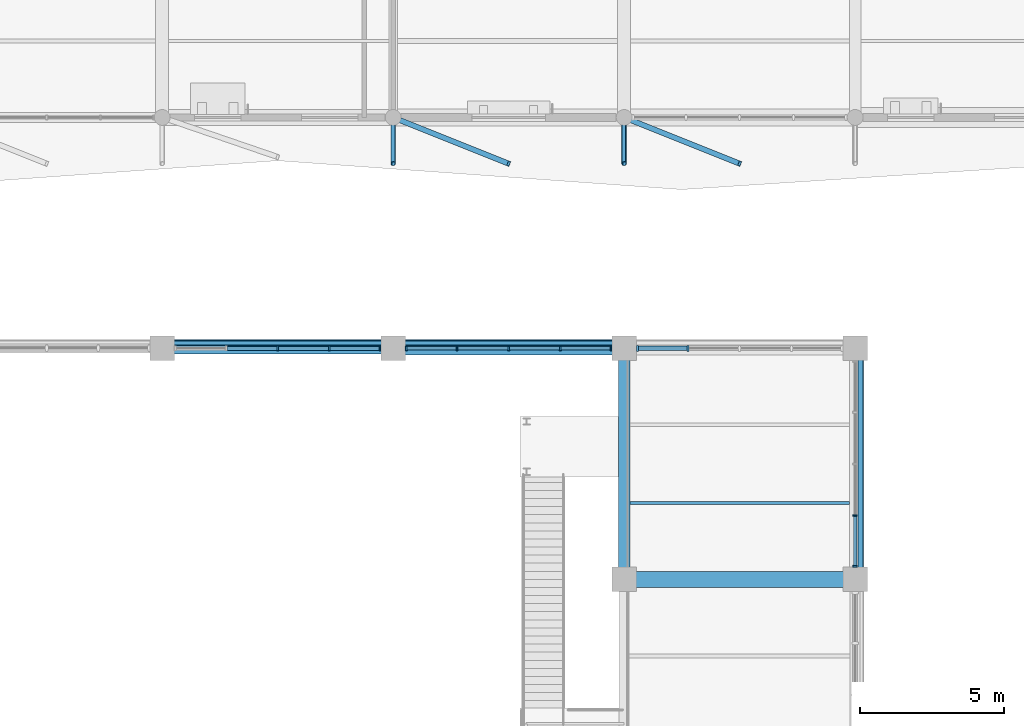
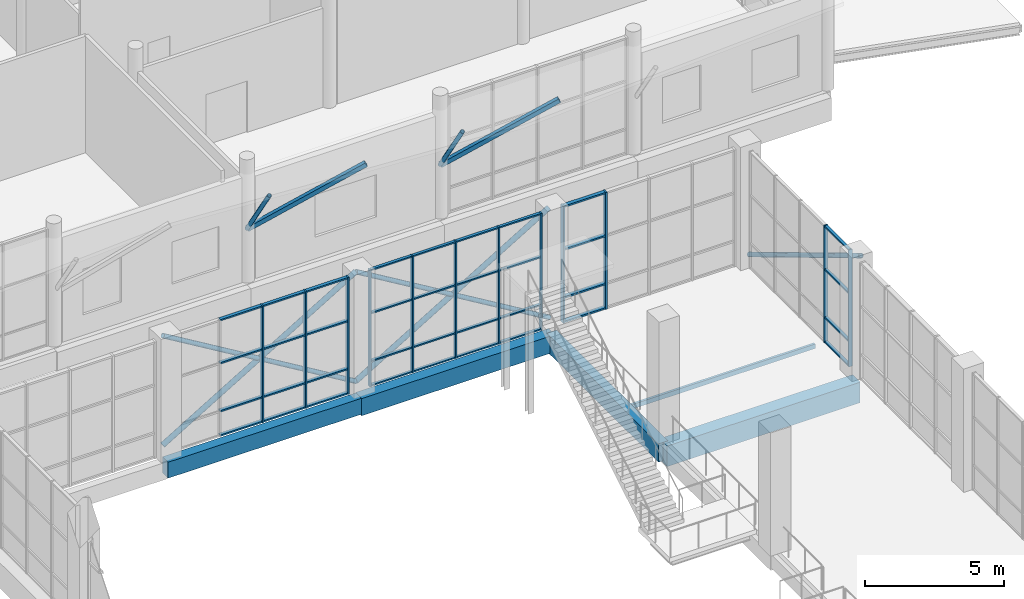
# One storey, part 58 of 122: 57 members, 5 beams, 4 elements without a shape of their own.
"""IFC4 building model written with IfcOpenShell, lengths in metres."""

from ifc_helpers import new_model, si_unit, direction, frame, origin, origin_2d, place, context, subcontext, project, spatial, rectangle, hollow_rectangle, hollow_circle, extrude, material, material_profile, profile_set, type_object, element, aggregate, save


model = new_model("IFC4")

# Units and contexts
model_context = context("Model", 3, precision=1e-05, world=origin(), true_north=direction((0.0, 1.0)))
body_context = subcontext(model_context, "Body", "Model", "MODEL_VIEW")
ifc_project = project(units=[si_unit("LENGTHUNIT", "METRE"), si_unit("AREAUNIT", "SQUARE_METRE"), si_unit("VOLUMEUNIT", "CUBIC_METRE"), si_unit("PLANEANGLEUNIT", "RADIAN"), si_unit("MASSUNIT", "GRAM", prefix="KILO")], contexts=[model_context])

# Site, building, storey
site_placement = place(None, origin())
site = spatial("IfcSite", under=ifc_project, at=site_placement, CompositionType="ELEMENT")
building_placement = place(site_placement, origin())
building = spatial("IfcBuilding", under=site, at=building_placement, Name="Tenunan Teduh Sports Hall", CompositionType="ELEMENT")
storey_placement = place(building_placement, frame((0.0, 0.0, 5.39990234375)))
storey = spatial("IfcBuildingStorey", under=building, at=storey_placement, Name="L01", CompositionType="ELEMENT", Elevation=5.39990234375)

# Beams
ifc_material_1 = material(Name="Concrete C40/50", Category="concrete")
ifc_material_profile_1 = material_profile(ifc_material_1, rectangle(XDim=0.39990234375, YDim=0.699951171875, at=origin_2d()), Name="RCB 400x700")
ifc_profile_set_1 = profile_set([ifc_material_profile_1], Name="Concrete C40/50")
beam_type_1 = type_object("IfcBeamType", Name="BM-RC-400x700", PredefinedType="BEAM", material=ifc_profile_set_1)
beam_1_placement = place(storey_placement, frame((130.0, 78.0, -0.60986328125), z_axis=(1.0, 0.0, 0.0), x_axis=(0.0, 1.0, 0.0)))
element("IfcBeam", 1, at=beam_1_placement, inside=storey, type_object=beam_type_1, Name="BM-B-08-L01-1102", PredefinedType="BEAM", context=body_context, shape_type="SweptSolid", body=[
    extrude(rectangle(XDim=0.39990234375, YDim=0.699951171875, at=origin_2d()), origin(), (0.0, 0.0, 1.0), 8.0),
])
ifc_material_2 = material(Name="Concrete C40/50", Category="concrete")
ifc_material_profile_2 = material_profile(ifc_material_2, rectangle(XDim=0.39990234375, YDim=0.800048828125, at=origin_2d()), Name="RCB 400x800")
ifc_profile_set_2 = profile_set([ifc_material_profile_2], Name="Concrete C40/50")
beam_type_2 = type_object("IfcBeamType", Name="BM-RC-400x800", PredefinedType="BEAM", material=ifc_profile_set_2)
beam_2_placement = place(storey_placement, frame((146.0, 70.0, -0.659912109375), z_axis=(0.0, 1.0, 0.0), x_axis=(-1.0, 0.0, 0.0)))
element("IfcBeam", 2, at=beam_2_placement, inside=storey, type_object=beam_type_2, Name="BM-B-10-L01-1288", PredefinedType="BEAM", context=body_context, shape_type="SweptSolid", body=[
    extrude(rectangle(XDim=0.39990234375, YDim=0.800048828125, at=origin_2d()), origin(), (0.0, 0.0, 1.0), 8.0),
])
ifc_material_3 = material(Name="Concrete C40/50", Category="concrete")
ifc_material_profile_3 = material_profile(ifc_material_3, rectangle(XDim=0.449951171875, YDim=0.75, at=origin_2d()), Name="RCB 450x750")
ifc_profile_set_3 = profile_set([ifc_material_profile_3], Name="Concrete C40/50")
beam_type_3 = type_object("IfcBeamType", Name="BM-RC-450x750", PredefinedType="BEAM", material=ifc_profile_set_3)
beam_3_placement = place(storey_placement, frame((138.0, 78.0, -0.635009765625), z_axis=(1.0, 0.0, 0.0), x_axis=(0.0, 1.0, 0.0)))
element("IfcBeam", 3, at=beam_3_placement, inside=storey, type_object=beam_type_3, Name="BM-B-11-L01-1103", PredefinedType="BEAM", context=body_context, shape_type="SweptSolid", body=[
    extrude(rectangle(XDim=0.449951171875, YDim=0.75, at=origin_2d()), origin(), (0.0, 0.0, 1.0), 8.0),
])
ifc_material_4 = material(Name="Concrete C40/50", Category="concrete")
ifc_material_profile_4 = material_profile(ifc_material_4, rectangle(XDim=0.550048828125, YDim=0.89990234375, at=origin_2d()), Name="RCB 550x900")
ifc_profile_set_4 = profile_set([ifc_material_profile_4], Name="Concrete C40/50")
beam_type_4 = type_object("IfcBeamType", Name="BM-RC-550x900", PredefinedType="BEAM", material=ifc_profile_set_4)
beam_4_placement = place(storey_placement, frame((146.0, 70.0, -0.7099609375), z_axis=(1.0, 0.0, 0.0), x_axis=(0.0, 1.0, 0.0)))
element("IfcBeam", 4, at=beam_4_placement, inside=storey, type_object=beam_type_4, Name="BM-B-16-L01-1095", PredefinedType="BEAM", context=body_context, shape_type="SweptSolid", body=[
    extrude(rectangle(XDim=0.550048828125, YDim=0.89990234375, at=origin_2d()), origin(), (0.0, 0.0, 1.0), 8.0),
])

# Curtain wall, members
ifc_material_5 = material(Name="Anodised aluminium", Category="aluminium")
curtain_wall_type = type_object("IfcCurtainWallType", Name="CW-UNIT-1", PredefinedType="NOTDEFINED", material=ifc_material_5)
curtain_wall_1_placement = place(storey_placement, origin())
curtain_wall_1 = element("IfcCurtainWall", 5, at=curtain_wall_1_placement, inside=storey, type_object=curtain_wall_type, Name="CW-CWM-150-L01-119", PredefinedType="NOTDEFINED")
ifc_material_6 = material(Name="Anodised aluminium", Category="aluminium")
ifc_material_profile_5 = material_profile(ifc_material_6, rectangle(XDim=0.06005859375, YDim=0.14990234375, at=origin_2d()), Name="CWM 60x150")
ifc_profile_set_5 = profile_set([ifc_material_profile_5], Name="Anodised aluminium")
member_type_1 = type_object("IfcMemberType", Name="CWM-150", PredefinedType="MULLION", material=ifc_profile_set_5)
member_1_placement = place(storey_placement, frame((138.455078125, 78.0, 0.0), z_axis=(0.0, 0.0, 1.0), x_axis=(1.0, 0.0, 0.0)))
member_1 = element("IfcMember", 6, at=member_1_placement, type_object=member_type_1, Name="CW-01 mullion 1", PredefinedType="MULLION", context=body_context, shape_type="SweptSolid", body=[
    extrude(rectangle(XDim=0.06005859375, YDim=0.14990234375, at=origin_2d()), origin(), (0.0, 0.0, 1.0), 5.1201171875),
])
member_2_placement = place(storey_placement, frame((140.21240234375, 78.0, 0.0), z_axis=(0.0, 0.0, 1.0), x_axis=(1.0, 0.0, 0.0)))
member_2 = element("IfcMember", 7, at=member_2_placement, type_object=member_type_1, Name="CW-01 mullion 2", PredefinedType="MULLION", context=body_context, shape_type="SweptSolid", body=[
    extrude(rectangle(XDim=0.06005859375, YDim=0.14990234375, at=origin_2d()), origin(), (0.0, 0.0, 1.0), 5.1201171875),
])
member_3_placement = place(storey_placement, frame((142.0, 78.0, 0.0), z_axis=(0.0, 0.0, 1.0), x_axis=(1.0, 0.0, 0.0)))
member_3 = element("IfcMember", 8, at=member_3_placement, type_object=member_type_1, Name="CW-01 mullion 3", PredefinedType="MULLION", context=body_context, shape_type="SweptSolid", body=[
    extrude(rectangle(XDim=0.06005859375, YDim=0.14990234375, at=origin_2d()), origin(), (0.0, 0.0, 1.0), 5.1201171875),
])
member_4_placement = place(storey_placement, frame((143.78759765625, 78.0, 0.0), z_axis=(0.0, 0.0, 1.0), x_axis=(1.0, 0.0, 0.0)))
member_4 = element("IfcMember", 9, at=member_4_placement, type_object=member_type_1, Name="CW-01 mullion 4", PredefinedType="MULLION", context=body_context, shape_type="SweptSolid", body=[
    extrude(rectangle(XDim=0.06005859375, YDim=0.14990234375, at=origin_2d()), origin(), (0.0, 0.0, 1.0), 5.1201171875),
])
member_5_placement = place(storey_placement, frame((145.544921875, 78.0, 0.0), z_axis=(0.0, 0.0, 1.0), x_axis=(1.0, 0.0, 0.0)))
member_5 = element("IfcMember", 10, at=member_5_placement, type_object=member_type_1, Name="CW-01 mullion 5", PredefinedType="MULLION", context=body_context, shape_type="SweptSolid", body=[
    extrude(rectangle(XDim=0.06005859375, YDim=0.14990234375, at=origin_2d()), origin(), (0.0, 0.0, 1.0), 5.1201171875),
])

curtain_wall_2_placement = place(storey_placement, origin())
curtain_wall_2 = element("IfcCurtainWall", 11, at=curtain_wall_2_placement, inside=storey, type_object=curtain_wall_type, Name="CW-CWM-150-L01-127", PredefinedType="NOTDEFINED")
member_6_placement = place(storey_placement, frame((154.0, 70.455078125, 0.0), z_axis=(0.0, 0.0, 1.0), x_axis=(0.0, 1.0, 0.0)))
member_6 = element("IfcMember", 12, at=member_6_placement, type_object=member_type_1, Name="CW-01 mullion 1", PredefinedType="MULLION", context=body_context, shape_type="SweptSolid", body=[
    extrude(rectangle(XDim=0.06005859375, YDim=0.14990234375, at=origin_2d()), origin(), (0.0, 0.0, 1.0), 5.1201171875),
])
member_7_placement = place(storey_placement, frame((154.0, 72.21240234375, 0.0), z_axis=(0.0, 0.0, 1.0), x_axis=(0.0, 1.0, 0.0)))
member_7 = element("IfcMember", 13, at=member_7_placement, type_object=member_type_1, Name="CW-01 mullion 2", PredefinedType="MULLION", context=body_context, shape_type="SweptSolid", body=[
    extrude(rectangle(XDim=0.06005859375, YDim=0.14990234375, at=origin_2d()), origin(), (0.0, 0.0, 1.0), 5.1201171875),
])

curtain_wall_3_placement = place(storey_placement, origin())
curtain_wall_3 = element("IfcCurtainWall", 14, at=curtain_wall_3_placement, inside=storey, type_object=curtain_wall_type, Name="CW-CWM-175-L01-118", PredefinedType="NOTDEFINED")
ifc_material_7 = material(Name="Anodised aluminium", Category="aluminium")
ifc_material_profile_6 = material_profile(ifc_material_7, rectangle(XDim=0.06494140625, YDim=0.175048828125, at=origin_2d()), Name="CWM 65x175")
ifc_profile_set_6 = profile_set([ifc_material_profile_6], Name="Anodised aluminium")
member_type_2 = type_object("IfcMemberType", Name="CWM-175", PredefinedType="MULLION", material=ifc_profile_set_6)
member_8_placement = place(storey_placement, frame((134.0, 78.0, 0.0), z_axis=(0.0, 0.0, 1.0), x_axis=(1.0, 0.0, 0.0)))
member_8 = element("IfcMember", 15, at=member_8_placement, type_object=member_type_2, Name="CW-01 mullion 3", PredefinedType="MULLION", context=body_context, shape_type="SweptSolid", body=[
    extrude(rectangle(XDim=0.06494140625, YDim=0.175048828125, at=origin_2d()), origin(), (0.0, 0.0, 1.0), 5.1201171875),
])
member_9_placement = place(storey_placement, frame((135.78759765625, 78.0, 0.0), z_axis=(0.0, 0.0, 1.0), x_axis=(1.0, 0.0, 0.0)))
member_9 = element("IfcMember", 16, at=member_9_placement, type_object=member_type_2, Name="CW-01 mullion 4", PredefinedType="MULLION", context=body_context, shape_type="SweptSolid", body=[
    extrude(rectangle(XDim=0.06494140625, YDim=0.175048828125, at=origin_2d()), origin(), (0.0, 0.0, 1.0), 5.1201171875),
])
member_10_placement = place(storey_placement, frame((137.54248046875, 78.0, 0.0), z_axis=(0.0, 0.0, 1.0), x_axis=(1.0, 0.0, 0.0)))
member_10 = element("IfcMember", 17, at=member_10_placement, type_object=member_type_2, Name="CW-01 mullion 5", PredefinedType="MULLION", context=body_context, shape_type="SweptSolid", body=[
    extrude(rectangle(XDim=0.06494140625, YDim=0.175048828125, at=origin_2d()), origin(), (0.0, 0.0, 1.0), 5.1201171875),
])

curtain_wall_4_placement = place(storey_placement, origin())
curtain_wall_4 = element("IfcCurtainWall", 18, at=curtain_wall_4_placement, inside=storey, type_object=curtain_wall_type, Name="CW-CWM-200-L01-120", PredefinedType="NOTDEFINED")
ifc_material_8 = material(Name="Anodised aluminium", Category="aluminium")
ifc_material_profile_7 = material_profile(ifc_material_8, rectangle(XDim=0.070068359375, YDim=0.199951171875, at=origin_2d()), Name="CWM 70x200")
ifc_profile_set_7 = profile_set([ifc_material_profile_7], Name="Anodised aluminium")
member_type_3 = type_object("IfcMemberType", Name="CWM-200", PredefinedType="MULLION", material=ifc_profile_set_7)
member_11_placement = place(storey_placement, frame((146.4599609375, 78.0, 0.0), z_axis=(0.0, 0.0, 1.0), x_axis=(1.0, 0.0, 0.0)))
member_11 = element("IfcMember", 19, at=member_11_placement, type_object=member_type_3, Name="CW-01 mullion 1", PredefinedType="MULLION", context=body_context, shape_type="SweptSolid", body=[
    extrude(rectangle(XDim=0.070068359375, YDim=0.199951171875, at=origin_2d()), origin(), (0.0, 0.0, 1.0), 5.1201171875),
])
member_12_placement = place(storey_placement, frame((148.21240234375, 78.0, 0.0), z_axis=(0.0, 0.0, 1.0), x_axis=(1.0, 0.0, 0.0)))
member_12 = element("IfcMember", 20, at=member_12_placement, type_object=member_type_3, Name="CW-01 mullion 2", PredefinedType="MULLION", context=body_context, shape_type="SweptSolid", body=[
    extrude(rectangle(XDim=0.070068359375, YDim=0.199951171875, at=origin_2d()), origin(), (0.0, 0.0, 1.0), 5.1201171875),
])

# Member
ifc_material_9 = material(Name="Anodised aluminium", Category="aluminium")
ifc_material_profile_8 = material_profile(ifc_material_9, rectangle(XDim=0.06005859375, YDim=0.1201171875, at=origin_2d()), Name="CWT 60x120")
ifc_profile_set_8 = profile_set([ifc_material_profile_8], Name="Anodised aluminium")
member_type_4 = type_object("IfcMemberType", Name="CWT-125", PredefinedType="USERDEFINED", material=ifc_profile_set_8)
member_13_placement = place(storey_placement, frame((138.485107421875, 78.0, 0.030029296875), z_axis=(1.0, 0.0, 0.0), x_axis=(0.0, 0.0, 1.0)))
member_13 = element("IfcMember", 21, at=member_13_placement, type_object=member_type_4, Name="CW-01 transom 1.1", ObjectType="TRANSOM", PredefinedType="USERDEFINED", context=body_context, shape_type="SweptSolid", body=[
    extrude(rectangle(XDim=0.06005859375, YDim=0.1201171875, at=origin_2d()), origin(), (0.0, 0.0, 1.0), 1.697509765625),
])

member_14_placement = place(storey_placement, frame((138.485107421875, 78.0, 1.10009765625), z_axis=(1.0, 0.0, 0.0), x_axis=(0.0, 0.0, 1.0)))
member_14 = element("IfcMember", 22, at=member_14_placement, type_object=member_type_4, Name="CW-01 transom 1.2", ObjectType="TRANSOM", PredefinedType="USERDEFINED", context=body_context, shape_type="SweptSolid", body=[
    extrude(rectangle(XDim=0.06005859375, YDim=0.1201171875, at=origin_2d()), origin(), (0.0, 0.0, 1.0), 1.697509765625),
])

member_15_placement = place(storey_placement, frame((138.485107421875, 78.0, 3.2001953125), z_axis=(1.0, 0.0, 0.0), x_axis=(0.0, 0.0, 1.0)))
member_15 = element("IfcMember", 23, at=member_15_placement, type_object=member_type_4, Name="CW-01 transom 1.3", ObjectType="TRANSOM", PredefinedType="USERDEFINED", context=body_context, shape_type="SweptSolid", body=[
    extrude(rectangle(XDim=0.06005859375, YDim=0.1201171875, at=origin_2d()), origin(), (0.0, 0.0, 1.0), 1.697509765625),
])

member_16_placement = place(storey_placement, frame((138.485107421875, 78.0, 5.090087890625), z_axis=(1.0, 0.0, 0.0), x_axis=(0.0, 0.0, 1.0)))
member_16 = element("IfcMember", 24, at=member_16_placement, type_object=member_type_4, Name="CW-01 transom 1.4", ObjectType="TRANSOM", PredefinedType="USERDEFINED", context=body_context, shape_type="SweptSolid", body=[
    extrude(rectangle(XDim=0.06005859375, YDim=0.1201171875, at=origin_2d()), origin(), (0.0, 0.0, 1.0), 1.697509765625),
])

member_17_placement = place(storey_placement, frame((140.242431640625, 78.0, 0.030029296875), z_axis=(1.0, 0.0, 0.0), x_axis=(0.0, 0.0, 1.0)))
member_17 = element("IfcMember", 25, at=member_17_placement, type_object=member_type_4, Name="CW-01 transom 2.1", ObjectType="TRANSOM", PredefinedType="USERDEFINED", context=body_context, shape_type="SweptSolid", body=[
    extrude(rectangle(XDim=0.06005859375, YDim=0.1201171875, at=origin_2d()), origin(), (0.0, 0.0, 1.0), 1.7275390625),
])

member_18_placement = place(storey_placement, frame((140.242431640625, 78.0, 1.10009765625), z_axis=(1.0, 0.0, 0.0), x_axis=(0.0, 0.0, 1.0)))
member_18 = element("IfcMember", 26, at=member_18_placement, type_object=member_type_4, Name="CW-01 transom 2.2", ObjectType="TRANSOM", PredefinedType="USERDEFINED", context=body_context, shape_type="SweptSolid", body=[
    extrude(rectangle(XDim=0.06005859375, YDim=0.1201171875, at=origin_2d()), origin(), (0.0, 0.0, 1.0), 1.7275390625),
])

member_19_placement = place(storey_placement, frame((140.242431640625, 78.0, 3.2001953125), z_axis=(1.0, 0.0, 0.0), x_axis=(0.0, 0.0, 1.0)))
member_19 = element("IfcMember", 27, at=member_19_placement, type_object=member_type_4, Name="CW-01 transom 2.3", ObjectType="TRANSOM", PredefinedType="USERDEFINED", context=body_context, shape_type="SweptSolid", body=[
    extrude(rectangle(XDim=0.06005859375, YDim=0.1201171875, at=origin_2d()), origin(), (0.0, 0.0, 1.0), 1.7275390625),
])

member_20_placement = place(storey_placement, frame((140.242431640625, 78.0, 5.090087890625), z_axis=(1.0, 0.0, 0.0), x_axis=(0.0, 0.0, 1.0)))
member_20 = element("IfcMember", 28, at=member_20_placement, type_object=member_type_4, Name="CW-01 transom 2.4", ObjectType="TRANSOM", PredefinedType="USERDEFINED", context=body_context, shape_type="SweptSolid", body=[
    extrude(rectangle(XDim=0.06005859375, YDim=0.1201171875, at=origin_2d()), origin(), (0.0, 0.0, 1.0), 1.7275390625),
])

member_21_placement = place(storey_placement, frame((142.030029296875, 78.0, 0.030029296875), z_axis=(1.0, 0.0, 0.0), x_axis=(0.0, 0.0, 1.0)))
member_21 = element("IfcMember", 29, at=member_21_placement, type_object=member_type_4, Name="CW-01 transom 3.1", ObjectType="TRANSOM", PredefinedType="USERDEFINED", context=body_context, shape_type="SweptSolid", body=[
    extrude(rectangle(XDim=0.06005859375, YDim=0.1201171875, at=origin_2d()), origin(), (0.0, 0.0, 1.0), 1.7275390625),
])

member_22_placement = place(storey_placement, frame((142.030029296875, 78.0, 1.10009765625), z_axis=(1.0, 0.0, 0.0), x_axis=(0.0, 0.0, 1.0)))
member_22 = element("IfcMember", 30, at=member_22_placement, type_object=member_type_4, Name="CW-01 transom 3.2", ObjectType="TRANSOM", PredefinedType="USERDEFINED", context=body_context, shape_type="SweptSolid", body=[
    extrude(rectangle(XDim=0.06005859375, YDim=0.1201171875, at=origin_2d()), origin(), (0.0, 0.0, 1.0), 1.7275390625),
])

member_23_placement = place(storey_placement, frame((142.030029296875, 78.0, 3.2001953125), z_axis=(1.0, 0.0, 0.0), x_axis=(0.0, 0.0, 1.0)))
member_23 = element("IfcMember", 31, at=member_23_placement, type_object=member_type_4, Name="CW-01 transom 3.3", ObjectType="TRANSOM", PredefinedType="USERDEFINED", context=body_context, shape_type="SweptSolid", body=[
    extrude(rectangle(XDim=0.06005859375, YDim=0.1201171875, at=origin_2d()), origin(), (0.0, 0.0, 1.0), 1.7275390625),
])

member_24_placement = place(storey_placement, frame((142.030029296875, 78.0, 5.090087890625), z_axis=(1.0, 0.0, 0.0), x_axis=(0.0, 0.0, 1.0)))
member_24 = element("IfcMember", 32, at=member_24_placement, type_object=member_type_4, Name="CW-01 transom 3.4", ObjectType="TRANSOM", PredefinedType="USERDEFINED", context=body_context, shape_type="SweptSolid", body=[
    extrude(rectangle(XDim=0.06005859375, YDim=0.1201171875, at=origin_2d()), origin(), (0.0, 0.0, 1.0), 1.7275390625),
])

member_25_placement = place(storey_placement, frame((143.8173828125, 78.0, 0.030029296875), z_axis=(1.0, 0.0, 0.0), x_axis=(0.0, 0.0, 1.0)))
member_25 = element("IfcMember", 33, at=member_25_placement, type_object=member_type_4, Name="CW-01 transom 4.1", ObjectType="TRANSOM", PredefinedType="USERDEFINED", context=body_context, shape_type="SweptSolid", body=[
    extrude(rectangle(XDim=0.06005859375, YDim=0.1201171875, at=origin_2d()), origin(), (0.0, 0.0, 1.0), 1.697509765625),
])

member_26_placement = place(storey_placement, frame((143.8173828125, 78.0, 1.10009765625), z_axis=(1.0, 0.0, 0.0), x_axis=(0.0, 0.0, 1.0)))
member_26 = element("IfcMember", 34, at=member_26_placement, type_object=member_type_4, Name="CW-01 transom 4.2", ObjectType="TRANSOM", PredefinedType="USERDEFINED", context=body_context, shape_type="SweptSolid", body=[
    extrude(rectangle(XDim=0.06005859375, YDim=0.1201171875, at=origin_2d()), origin(), (0.0, 0.0, 1.0), 1.697509765625),
])

member_27_placement = place(storey_placement, frame((143.8173828125, 78.0, 3.2001953125), z_axis=(1.0, 0.0, 0.0), x_axis=(0.0, 0.0, 1.0)))
member_27 = element("IfcMember", 35, at=member_27_placement, type_object=member_type_4, Name="CW-01 transom 4.3", ObjectType="TRANSOM", PredefinedType="USERDEFINED", context=body_context, shape_type="SweptSolid", body=[
    extrude(rectangle(XDim=0.06005859375, YDim=0.1201171875, at=origin_2d()), origin(), (0.0, 0.0, 1.0), 1.697509765625),
])

member_28_placement = place(storey_placement, frame((143.8173828125, 78.0, 5.090087890625), z_axis=(1.0, 0.0, 0.0), x_axis=(0.0, 0.0, 1.0)))
member_28 = element("IfcMember", 36, at=member_28_placement, type_object=member_type_4, Name="CW-01 transom 4.4", ObjectType="TRANSOM", PredefinedType="USERDEFINED", context=body_context, shape_type="SweptSolid", body=[
    extrude(rectangle(XDim=0.06005859375, YDim=0.1201171875, at=origin_2d()), origin(), (0.0, 0.0, 1.0), 1.697509765625),
])

aggregate(curtain_wall_1, [member_1, member_2, member_3, member_4, member_5, member_13, member_14, member_15, member_16, member_17, member_18, member_19, member_20, member_21, member_22, member_23, member_24, member_25, member_26, member_27, member_28])

member_29_placement = place(storey_placement, frame((154.0, 70.485107421875, 0.030029296875), z_axis=(0.0, 1.0, 0.0), x_axis=(0.0, 0.0, 1.0)))
member_29 = element("IfcMember", 37, at=member_29_placement, type_object=member_type_4, Name="CW-01 transom 1.1", ObjectType="TRANSOM", PredefinedType="USERDEFINED", context=body_context, shape_type="SweptSolid", body=[
    extrude(rectangle(XDim=0.06005859375, YDim=0.1201171875, at=origin_2d()), origin(), (0.0, 0.0, 1.0), 1.697509765625),
])

member_30_placement = place(storey_placement, frame((154.0, 70.485107421875, 1.10009765625), z_axis=(0.0, 1.0, 0.0), x_axis=(0.0, 0.0, 1.0)))
member_30 = element("IfcMember", 38, at=member_30_placement, type_object=member_type_4, Name="CW-01 transom 1.2", ObjectType="TRANSOM", PredefinedType="USERDEFINED", context=body_context, shape_type="SweptSolid", body=[
    extrude(rectangle(XDim=0.06005859375, YDim=0.1201171875, at=origin_2d()), origin(), (0.0, 0.0, 1.0), 1.697509765625),
])

member_31_placement = place(storey_placement, frame((154.0, 70.485107421875, 3.2001953125), z_axis=(0.0, 1.0, 0.0), x_axis=(0.0, 0.0, 1.0)))
member_31 = element("IfcMember", 39, at=member_31_placement, type_object=member_type_4, Name="CW-01 transom 1.3", ObjectType="TRANSOM", PredefinedType="USERDEFINED", context=body_context, shape_type="SweptSolid", body=[
    extrude(rectangle(XDim=0.06005859375, YDim=0.1201171875, at=origin_2d()), origin(), (0.0, 0.0, 1.0), 1.697509765625),
])

member_32_placement = place(storey_placement, frame((154.0, 70.485107421875, 5.090087890625), z_axis=(0.0, 1.0, 0.0), x_axis=(0.0, 0.0, 1.0)))
member_32 = element("IfcMember", 40, at=member_32_placement, type_object=member_type_4, Name="CW-01 transom 1.4", ObjectType="TRANSOM", PredefinedType="USERDEFINED", context=body_context, shape_type="SweptSolid", body=[
    extrude(rectangle(XDim=0.06005859375, YDim=0.1201171875, at=origin_2d()), origin(), (0.0, 0.0, 1.0), 1.697509765625),
])

aggregate(curtain_wall_2, [member_6, member_7, member_29, member_30, member_31, member_32])

ifc_material_10 = material(Name="Anodised aluminium", Category="aluminium")
ifc_material_profile_9 = material_profile(ifc_material_10, rectangle(XDim=0.06494140625, YDim=0.139892578125, at=origin_2d()), Name="CWT 65x140")
ifc_profile_set_9 = profile_set([ifc_material_profile_9], Name="Anodised aluminium")
member_type_5 = type_object("IfcMemberType", Name="CWT-150", PredefinedType="USERDEFINED", material=ifc_profile_set_9)
member_33_placement = place(storey_placement, frame((132.2451171875, 78.0, 0.03271484375), z_axis=(1.0, 0.0, 0.0), x_axis=(0.0, 0.0, 1.0)))
member_33 = element("IfcMember", 41, at=member_33_placement, type_object=member_type_5, Name="CW-01 transom 2.1", ObjectType="TRANSOM", PredefinedType="USERDEFINED", context=body_context, shape_type="SweptSolid", body=[
    extrude(rectangle(XDim=0.06494140625, YDim=0.139892578125, at=origin_2d()), origin(), (0.0, 0.0, 1.0), 1.722412109375),
])

member_34_placement = place(storey_placement, frame((132.2451171875, 78.0, 1.10009765625), z_axis=(1.0, 0.0, 0.0), x_axis=(0.0, 0.0, 1.0)))
member_34 = element("IfcMember", 42, at=member_34_placement, type_object=member_type_5, Name="CW-01 transom 2.2", ObjectType="TRANSOM", PredefinedType="USERDEFINED", context=body_context, shape_type="SweptSolid", body=[
    extrude(rectangle(XDim=0.06494140625, YDim=0.139892578125, at=origin_2d()), origin(), (0.0, 0.0, 1.0), 1.722412109375),
])

member_35_placement = place(storey_placement, frame((132.2451171875, 78.0, 3.2001953125), z_axis=(1.0, 0.0, 0.0), x_axis=(0.0, 0.0, 1.0)))
member_35 = element("IfcMember", 43, at=member_35_placement, type_object=member_type_5, Name="CW-01 transom 2.3", ObjectType="TRANSOM", PredefinedType="USERDEFINED", context=body_context, shape_type="SweptSolid", body=[
    extrude(rectangle(XDim=0.06494140625, YDim=0.139892578125, at=origin_2d()), origin(), (0.0, 0.0, 1.0), 1.722412109375),
])

member_36_placement = place(storey_placement, frame((132.2451171875, 78.0, 5.087646484375), z_axis=(1.0, 0.0, 0.0), x_axis=(0.0, 0.0, 1.0)))
member_36 = element("IfcMember", 44, at=member_36_placement, type_object=member_type_5, Name="CW-01 transom 2.4", ObjectType="TRANSOM", PredefinedType="USERDEFINED", context=body_context, shape_type="SweptSolid", body=[
    extrude(rectangle(XDim=0.06494140625, YDim=0.139892578125, at=origin_2d()), origin(), (0.0, 0.0, 1.0), 1.722412109375),
])

member_37_placement = place(storey_placement, frame((134.032470703125, 78.0, 0.03271484375), z_axis=(1.0, 0.0, 0.0), x_axis=(0.0, 0.0, 1.0)))
member_37 = element("IfcMember", 45, at=member_37_placement, type_object=member_type_5, Name="CW-01 transom 3.1", ObjectType="TRANSOM", PredefinedType="USERDEFINED", context=body_context, shape_type="SweptSolid", body=[
    extrude(rectangle(XDim=0.06494140625, YDim=0.139892578125, at=origin_2d()), origin(), (0.0, 0.0, 1.0), 1.722412109375),
])

member_38_placement = place(storey_placement, frame((134.032470703125, 78.0, 1.10009765625), z_axis=(1.0, 0.0, 0.0), x_axis=(0.0, 0.0, 1.0)))
member_38 = element("IfcMember", 46, at=member_38_placement, type_object=member_type_5, Name="CW-01 transom 3.2", ObjectType="TRANSOM", PredefinedType="USERDEFINED", context=body_context, shape_type="SweptSolid", body=[
    extrude(rectangle(XDim=0.06494140625, YDim=0.139892578125, at=origin_2d()), origin(), (0.0, 0.0, 1.0), 1.722412109375),
])

member_39_placement = place(storey_placement, frame((134.032470703125, 78.0, 3.2001953125), z_axis=(1.0, 0.0, 0.0), x_axis=(0.0, 0.0, 1.0)))
member_39 = element("IfcMember", 47, at=member_39_placement, type_object=member_type_5, Name="CW-01 transom 3.3", ObjectType="TRANSOM", PredefinedType="USERDEFINED", context=body_context, shape_type="SweptSolid", body=[
    extrude(rectangle(XDim=0.06494140625, YDim=0.139892578125, at=origin_2d()), origin(), (0.0, 0.0, 1.0), 1.722412109375),
])

member_40_placement = place(storey_placement, frame((134.032470703125, 78.0, 5.087646484375), z_axis=(1.0, 0.0, 0.0), x_axis=(0.0, 0.0, 1.0)))
member_40 = element("IfcMember", 48, at=member_40_placement, type_object=member_type_5, Name="CW-01 transom 3.4", ObjectType="TRANSOM", PredefinedType="USERDEFINED", context=body_context, shape_type="SweptSolid", body=[
    extrude(rectangle(XDim=0.06494140625, YDim=0.139892578125, at=origin_2d()), origin(), (0.0, 0.0, 1.0), 1.722412109375),
])

member_41_placement = place(storey_placement, frame((135.820068359375, 78.0, 0.03271484375), z_axis=(1.0, 0.0, 0.0), x_axis=(0.0, 0.0, 1.0)))
member_41 = element("IfcMember", 49, at=member_41_placement, type_object=member_type_5, Name="CW-01 transom 4.1", ObjectType="TRANSOM", PredefinedType="USERDEFINED", context=body_context, shape_type="SweptSolid", body=[
    extrude(rectangle(XDim=0.06494140625, YDim=0.139892578125, at=origin_2d()), origin(), (0.0, 0.0, 1.0), 1.68994140625),
])

member_42_placement = place(storey_placement, frame((135.820068359375, 78.0, 1.10009765625), z_axis=(1.0, 0.0, 0.0), x_axis=(0.0, 0.0, 1.0)))
member_42 = element("IfcMember", 50, at=member_42_placement, type_object=member_type_5, Name="CW-01 transom 4.2", ObjectType="TRANSOM", PredefinedType="USERDEFINED", context=body_context, shape_type="SweptSolid", body=[
    extrude(rectangle(XDim=0.06494140625, YDim=0.139892578125, at=origin_2d()), origin(), (0.0, 0.0, 1.0), 1.68994140625),
])

member_43_placement = place(storey_placement, frame((135.820068359375, 78.0, 3.2001953125), z_axis=(1.0, 0.0, 0.0), x_axis=(0.0, 0.0, 1.0)))
member_43 = element("IfcMember", 51, at=member_43_placement, type_object=member_type_5, Name="CW-01 transom 4.3", ObjectType="TRANSOM", PredefinedType="USERDEFINED", context=body_context, shape_type="SweptSolid", body=[
    extrude(rectangle(XDim=0.06494140625, YDim=0.139892578125, at=origin_2d()), origin(), (0.0, 0.0, 1.0), 1.68994140625),
])

member_44_placement = place(storey_placement, frame((135.820068359375, 78.0, 5.087646484375), z_axis=(1.0, 0.0, 0.0), x_axis=(0.0, 0.0, 1.0)))
member_44 = element("IfcMember", 52, at=member_44_placement, type_object=member_type_5, Name="CW-01 transom 4.4", ObjectType="TRANSOM", PredefinedType="USERDEFINED", context=body_context, shape_type="SweptSolid", body=[
    extrude(rectangle(XDim=0.06494140625, YDim=0.139892578125, at=origin_2d()), origin(), (0.0, 0.0, 1.0), 1.68994140625),
])

aggregate(curtain_wall_3, [member_8, member_9, member_10, member_33, member_34, member_35, member_36, member_37, member_38, member_39, member_40, member_41, member_42, member_43, member_44])

ifc_material_11 = material(Name="Anodised aluminium", Category="aluminium")
ifc_material_profile_10 = material_profile(ifc_material_11, rectangle(XDim=0.070068359375, YDim=0.159912109375, at=origin_2d()), Name="CWT 70x160")
ifc_profile_set_10 = profile_set([ifc_material_profile_10], Name="Anodised aluminium")
member_type_6 = type_object("IfcMemberType", Name="CWT-200", PredefinedType="USERDEFINED", material=ifc_profile_set_10)
member_45_placement = place(storey_placement, frame((146.4951171875, 78.0, 0.03515625), z_axis=(1.0, 0.0, 0.0), x_axis=(0.0, 0.0, 1.0)))
member_45 = element("IfcMember", 53, at=member_45_placement, type_object=member_type_6, Name="CW-01 transom 1.1", ObjectType="TRANSOM", PredefinedType="USERDEFINED", context=body_context, shape_type="SweptSolid", body=[
    extrude(rectangle(XDim=0.070068359375, YDim=0.159912109375, at=origin_2d()), origin(), (0.0, 0.0, 1.0), 1.682373046875),
])

member_46_placement = place(storey_placement, frame((146.4951171875, 78.0, 1.10009765625), z_axis=(1.0, 0.0, 0.0), x_axis=(0.0, 0.0, 1.0)))
member_46 = element("IfcMember", 54, at=member_46_placement, type_object=member_type_6, Name="CW-01 transom 1.2", ObjectType="TRANSOM", PredefinedType="USERDEFINED", context=body_context, shape_type="SweptSolid", body=[
    extrude(rectangle(XDim=0.070068359375, YDim=0.159912109375, at=origin_2d()), origin(), (0.0, 0.0, 1.0), 1.682373046875),
])

member_47_placement = place(storey_placement, frame((146.4951171875, 78.0, 3.2001953125), z_axis=(1.0, 0.0, 0.0), x_axis=(0.0, 0.0, 1.0)))
member_47 = element("IfcMember", 55, at=member_47_placement, type_object=member_type_6, Name="CW-01 transom 1.3", ObjectType="TRANSOM", PredefinedType="USERDEFINED", context=body_context, shape_type="SweptSolid", body=[
    extrude(rectangle(XDim=0.070068359375, YDim=0.159912109375, at=origin_2d()), origin(), (0.0, 0.0, 1.0), 1.682373046875),
])

member_48_placement = place(storey_placement, frame((146.4951171875, 78.0, 5.085205078125), z_axis=(1.0, 0.0, 0.0), x_axis=(0.0, 0.0, 1.0)))
member_48 = element("IfcMember", 56, at=member_48_placement, type_object=member_type_6, Name="CW-01 transom 1.4", ObjectType="TRANSOM", PredefinedType="USERDEFINED", context=body_context, shape_type="SweptSolid", body=[
    extrude(rectangle(XDim=0.070068359375, YDim=0.159912109375, at=origin_2d()), origin(), (0.0, 0.0, 1.0), 1.682373046875),
])

aggregate(curtain_wall_4, [member_11, member_12, member_45, member_46, member_47, member_48])

# Members
ifc_material_12 = material(Name="Steel S355", Category="steel")
ifc_material_profile_11 = material_profile(ifc_material_12, hollow_circle(Radius=0.084228515625, WallThickness=0.008056640625, at=origin_2d()), Name="CHS 168.3x8.0")
ifc_profile_set_11 = profile_set([ifc_material_profile_11], Name="Steel S355")
member_type_7 = type_object("IfcMemberType", Name="MEM-BR-CHS168", PredefinedType="BRACE", material=ifc_profile_set_11)
for number, where, z_axis, x_axis, name in (
    (57, (138.0, 86.0, 2.2001953125), (0.0, -0.551550138516, 0.834141741374), (1.0, 0.0, 0.0), "MEM-GD-04-L01-1227"),
    (58, (146.0, 86.0, 2.2001953125), (0.0, -0.551550138516, 0.834141741374), (1.0, 0.0, 0.0), "MEM-GD-04-L01-1231"),
):
    element("IfcMember", number, at=place(storey_placement, frame(where, z_axis=z_axis, x_axis=x_axis)), inside=storey, type_object=member_type_7, Name=name, PredefinedType="BRACE", context=body_context, shape_type="SweptSolid", body=[
        extrude(hollow_circle(Radius=0.084228515625, WallThickness=0.008056640625, at=origin_2d()), origin(), (0.0, 0.0, 1.0), 2.901123046875),
    ])
ifc_material_13 = material(Name="Steel S355", Category="steel")
ifc_material_profile_12 = material_profile(ifc_material_13, hollow_circle(Radius=0.096923828125, WallThickness=0.008056640625, at=origin_2d()), Name="CHS 193.7x8.0")
ifc_profile_set_12 = profile_set([ifc_material_profile_12], Name="Steel S355")
member_type_8 = type_object("IfcMemberType", Name="MEM-BR-CHS194", PredefinedType="BRACE", material=ifc_profile_set_12)
for number, where, z_axis, x_axis, name in (
    (59, (138.0, 78.18994140625, 0.25), (-0.857490616715, 0.0, 0.514499603737), (0.0, -1.0, 0.0), "MEM-GD-03-L01-1063"),
    (60, (146.0, 78.18994140625, 0.25), (-0.857490616715, 0.0, 0.514499603737), (0.0, -1.0, 0.0), "MEM-GD-03-L01-1065"),
    (61, (154.18994140625, 78.0, 0.25), (0.0, -0.857490616715, 0.514499603737), (1.0, 0.0, 0.0), "MEM-GD-03-L01-1075"),
):
    element("IfcMember", number, at=place(storey_placement, frame(where, z_axis=z_axis, x_axis=x_axis)), inside=storey, type_object=member_type_8, Name=name, PredefinedType="BRACE", context=body_context, shape_type="SweptSolid", body=[
        extrude(hollow_circle(Radius=0.096923828125, WallThickness=0.008056640625, at=origin_2d()), origin(), (0.0, 0.0, 1.0), 9.32958984375),
    ])
ifc_material_14 = material(Name="Steel S355", Category="steel")
ifc_material_profile_13 = material_profile(ifc_material_14, hollow_circle(Radius=0.109619140625, WallThickness=0.010009765625, at=origin_2d()), Name="CHS 219.1x10.0")
ifc_profile_set_13 = profile_set([ifc_material_profile_13], Name="Steel S355")
member_type_9 = type_object("IfcMemberType", Name="MEM-BR-CHS219", PredefinedType="BRACE", material=ifc_profile_set_13)
for number, where, z_axis, x_axis, name in (
    (62, (130.0, 78.199951171875, 0.25), (0.857490616715, 0.0, 0.514499603737), (0.0, 1.0, 0.0), "MEM-GD-02-L01-1062"),
    (63, (138.0, 78.199951171875, 0.25), (0.857490616715, 0.0, 0.514499603737), (0.0, 1.0, 0.0), "MEM-GD-02-L01-1064"),
):
    element("IfcMember", number, at=place(storey_placement, frame(where, z_axis=z_axis, x_axis=x_axis)), inside=storey, type_object=member_type_9, Name=name, PredefinedType="BRACE", context=body_context, shape_type="SweptSolid", body=[
        extrude(hollow_circle(Radius=0.109619140625, WallThickness=0.010009765625, at=origin_2d()), origin(), (0.0, 0.0, 1.0), 9.32958984375),
    ])
ifc_material_15 = material(Name="Steel S355", Category="steel")
ifc_material_profile_14 = material_profile(ifc_material_15, hollow_rectangle(XDim=0.179931640625, YDim=0.179931640625, WallThickness=0.010009765625, at=origin_2d()), Name="SHS 180x180x10.0")
ifc_profile_set_14 = profile_set([ifc_material_profile_14], Name="Steel S355")
member_type_10 = type_object("IfcMemberType", Name="MEM-ST-SHS180", PredefinedType="STRUT", material=ifc_profile_set_14)
for number, where, z_axis, x_axis, name in (
    (64, (138.0, 86.0, 2.2001953125), (0.809505416952, -0.323821930097, 0.489734966603), (0.37141021739, 0.928468874232, 0.0), "MEM-VS-03-L01-1230"),
    (65, (146.0, 86.0, 2.2001953125), (0.809505416952, -0.323821930097, 0.489734966603), (0.37141021739, 0.928468874232, 0.0), "MEM-VS-03-L01-1234"),
):
    element("IfcMember", number, at=place(storey_placement, frame(where, z_axis=z_axis, x_axis=x_axis)), inside=storey, type_object=member_type_10, Name=name, PredefinedType="STRUT", context=body_context, shape_type="SweptSolid", body=[
        extrude(hollow_rectangle(XDim=0.179931640625, YDim=0.179931640625, WallThickness=0.010009765625, at=origin_2d()), origin(), (0.0, 0.0, 1.0), 4.94140625),
    ])

# Beam
ifc_material_16 = material(Name="Steel S355", Category="steel")
ifc_material_profile_15 = material_profile(ifc_material_16, hollow_rectangle(XDim=0.10009765625, YDim=0.199951171875, WallThickness=0.008056640625, at=origin_2d()), Name="RHS 200x100x8.0")
ifc_profile_set_15 = profile_set([ifc_material_profile_15], Name="Steel S355")
beam_type_5 = type_object("IfcBeamType", Name="RBM-RHS200", PredefinedType="JOIST", material=ifc_profile_set_15)
beam_5_placement = place(storey_placement, frame((146.199951171875, 72.64990234375, -0.35986328125), z_axis=(1.0, 0.0, 0.0), x_axis=(0.0, 1.0, 0.0)))
element("IfcBeam", 66, at=beam_5_placement, inside=storey, type_object=beam_type_5, Name="Perimeter Ring Beam BM-RB-05-L01-1440", PredefinedType="JOIST", context=body_context, shape_type="SweptSolid", body=[
    extrude(hollow_rectangle(XDim=0.10009765625, YDim=0.199951171875, WallThickness=0.008056640625, at=origin_2d()), origin(), (0.0, 0.0, 1.0), 7.60009765625),
])

save(model, "model.ifc")
